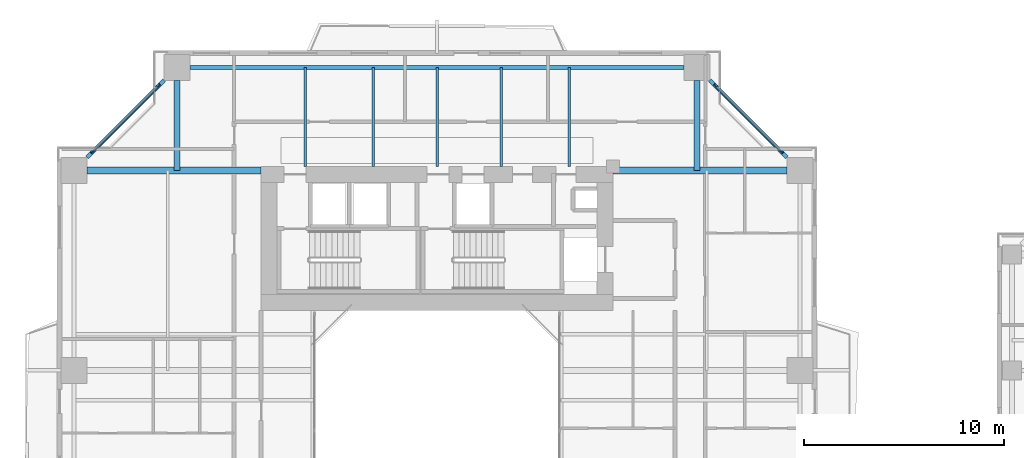
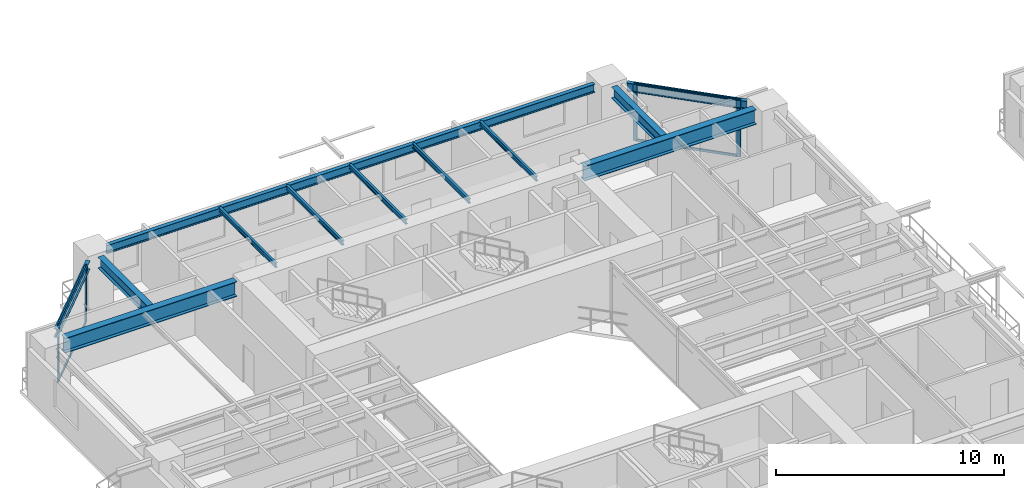
# One storey, part 9 of 24: 12 beams, 8 members, 2 elements without a shape of their own.
"""IFC4 building model written with IfcOpenShell, lengths in metres."""

from ifc_helpers import new_model, si_unit, direction, frame, origin, origin_2d, place, context, subcontext, project, spatial, rectangle, i_section, extrude, source, transform, mapped, material, layer, layer_set, material_profile, profile_set, type_object, element, aggregate, save


model = new_model("IFC4")

# Units and contexts
model_context = context("Model", 3, precision=1e-05, world=origin(), true_north=direction((0.0, 1.0)))
body_context = subcontext(model_context, "Body", "Model", "MODEL_VIEW")
ifc_project = project(units=[si_unit("LENGTHUNIT", "METRE"), si_unit("AREAUNIT", "SQUARE_METRE"), si_unit("VOLUMEUNIT", "CUBIC_METRE"), si_unit("PLANEANGLEUNIT", "RADIAN"), si_unit("MASSUNIT", "GRAM", prefix="KILO"), si_unit("THERMODYNAMICTEMPERATUREUNIT", "KELVIN"), si_unit("POWERUNIT", "WATT")], contexts=[model_context])

# Site, building, storey
site_placement = place(None, origin())
site = spatial("IfcSite", under=ifc_project, at=site_placement, CompositionType="ELEMENT")
building_placement = place(site_placement, origin())
building = spatial("IfcBuilding", under=site, at=building_placement, Name="Qiaomeng Ring Towers", CompositionType="ELEMENT")
storey_placement = place(building_placement, frame((0.0, 0.0, 36.0)))
storey = spatial("IfcBuildingStorey", under=building, at=storey_placement, Name="L09", CompositionType="ELEMENT", Elevation=36.0)

# Beams
ifc_material_1 = material(Name="Steel Q355B", Category="steel")
ifc_material_profile_1 = material_profile(ifc_material_1, i_section(OverallWidth=0.199951171875, OverallDepth=0.449951171875, WebThickness=0.009033203125, FlangeThickness=0.013916015625, FilletRadius=0.01806640625, at=origin_2d()), Name="HN 450x200x9x14")
ifc_profile_set_1 = profile_set([ifc_material_profile_1], Name="Steel Q355B")
beam_type_1 = type_object("IfcBeamType", Name="STR-BM-HN450", PredefinedType="SPANDREL", material=ifc_profile_set_1)
shared_shape_1 = source(origin(), body_context, "Body", "SweptSolid", [
    extrude(i_section(OverallWidth=0.199951171875, OverallDepth=0.449951171875, WebThickness=0.009033203125, FlangeThickness=0.013916015625, FilletRadius=0.01806640625, at=origin_2d()), origin(), (0.0, 0.0, 1.0), 24.7021484375),
])
beam_placement = place(storey_placement, frame((31.35107421875, 41.14990234375, 2.844970703125), z_axis=(-1.0, 0.0, 0.0), x_axis=(0.0, -1.0, 0.0)))
element("IfcBeam", 1, at=beam_placement, inside=storey, type_object=beam_type_1, Name="L09 beam STR-SP-L09-T1-N2-N1", PredefinedType="SPANDREL", context=body_context, shape_type="MappedRepresentation", body=[
    mapped(shared_shape_1, transform((0.0, 0.0, 0.0), x_axis=(1.0, 0.0, 0.0), y_axis=(0.0, 1.0, 0.0), z_axis=(0.0, 0.0, 1.0), scale=1.0)),
])
shared_shape_2 = source(origin(), body_context, "Body", "SweptSolid", [
    extrude(i_section(OverallWidth=0.199951171875, OverallDepth=0.449951171875, WebThickness=0.009033203125, FlangeThickness=0.013916015625, FilletRadius=0.01806640625, at=origin_2d()), origin(), (0.0, 0.0, 1.0), 5.446533203125),
])
for number, where, z_axis, x_axis, name in (
    (2, (36.500732421875, 36.6494140625, 2.844970703125), (-0.707106781187, 0.707106781187, 0.0), (-0.707106781187, -0.707106781187, 0.0), "L09 beam STR-SP-L09-T1-E4-N2"),
    (3, (5.3505859375, 40.500732421875, 2.844970703125), (-0.707106781187, -0.707106781187, 0.0), (0.707106781187, -0.707106781187, 0.0), "L09 beam STR-SP-L09-T1-N1-W4"),
):
    element("IfcBeam", number, at=place(storey_placement, frame(where, z_axis=z_axis, x_axis=x_axis)), inside=storey, type_object=beam_type_1, Name=name, PredefinedType="SPANDREL", context=body_context, shape_type="MappedRepresentation", body=[
        mapped(shared_shape_2, transform((0.0, 0.0, 0.0), x_axis=(1.0, 0.0, 0.0), y_axis=(0.0, 1.0, 0.0), z_axis=(0.0, 0.0, 1.0), scale=1.0)),
    ])
ifc_material_2 = material(Name="Steel Q390GJC", Category="steel")
ifc_material_profile_2 = material_profile(ifc_material_2, i_section(OverallWidth=0.35009765625, OverallDepth=0.800048828125, WebThickness=0.01611328125, FlangeThickness=0.028076171875, at=origin_2d()), Name="WH 800x350x16x28")
ifc_profile_set_2 = profile_set([ifc_material_profile_2], Name="Steel Q390GJC")
beam_type_2 = type_object("IfcBeamType", Name="STR-BM-WH800", PredefinedType="BEAM", material=ifc_profile_set_2)
shared_shape_3 = source(origin(), body_context, "Body", "SweptSolid", [
    extrude(i_section(OverallWidth=0.35009765625, OverallDepth=0.800048828125, WebThickness=0.01611328125, FlangeThickness=0.028076171875, at=origin_2d()), origin(), (0.0, 0.0, 1.0), 8.700927734375),
])
for number, where, z_axis, x_axis, name in (
    (4, (1.4990234375, 36.0, 2.669921875), (1.0, 0.0, 0.0), (0.0, 1.0, 0.0), "L09 beam STR-BM-L09-T1-RAD-W4"),
    (5, (27.800048828125, 36.0, 2.669921875), (1.0, 0.0, 0.0), (0.0, 1.0, 0.0), "L09 beam STR-BM-L09-T1-RAD-E4"),
):
    element("IfcBeam", number, at=place(storey_placement, frame(where, z_axis=z_axis, x_axis=x_axis)), inside=storey, type_object=beam_type_2, Name=name, PredefinedType="BEAM", context=body_context, shape_type="MappedRepresentation", body=[
        mapped(shared_shape_3, transform((0.0, 0.0, 0.0), x_axis=(1.0, 0.0, 0.0), y_axis=(0.0, 1.0, 0.0), z_axis=(0.0, 0.0, 1.0), scale=1.0)),
    ])
ifc_material_profile_3 = material_profile(ifc_material_1, i_section(OverallWidth=0.300048828125, OverallDepth=0.587890625, WebThickness=0.011962890625, FlangeThickness=0.02001953125, FilletRadius=0.028076171875, at=origin_2d()), Name="HM 588x300x12x20")
ifc_profile_set_3 = profile_set([ifc_material_profile_3], Name="Steel Q355B")
beam_type_3 = type_object("IfcBeamType", Name="STR-BM-HM588", PredefinedType="BEAM", material=ifc_profile_set_3)
shared_shape_4 = source(origin(), body_context, "Body", "SweptSolid", [
    extrude(i_section(OverallWidth=0.300048828125, OverallDepth=0.587890625, WebThickness=0.011962890625, FlangeThickness=0.02001953125, FilletRadius=0.028076171875, at=origin_2d()), origin(), (0.0, 0.0, 1.0), 4.5009765625),
])
for number, where, z_axis, x_axis, name in (
    (6, (6.0, 40.5009765625, 2.77587890625), (0.0, -1.0, 0.0), (1.0, 0.0, 0.0), "L09 beam STR-BM-L09-T1-RAD-N1"),
    (7, (32.0, 40.5009765625, 2.77587890625), (0.0, -1.0, 0.0), (1.0, 0.0, 0.0), "L09 beam STR-BM-L09-T1-RAD-N2"),
):
    element("IfcBeam", number, at=place(storey_placement, frame(where, z_axis=z_axis, x_axis=x_axis)), inside=storey, type_object=beam_type_3, Name=name, PredefinedType="BEAM", context=body_context, shape_type="MappedRepresentation", body=[
        mapped(shared_shape_4, transform((0.0, 0.0, 0.0), x_axis=(1.0, 0.0, 0.0), y_axis=(0.0, 1.0, 0.0), z_axis=(0.0, 0.0, 1.0), scale=1.0)),
    ])
ifc_material_profile_4 = material_profile(ifc_material_1, i_section(OverallWidth=0.125, OverallDepth=0.25, WebThickness=0.006103515625, FlangeThickness=0.009033203125, FilletRadius=0.011962890625, at=origin_2d()), Name="HN 250x125x6x9")
ifc_profile_set_4 = profile_set([ifc_material_profile_4], Name="Steel Q355B")
beam_type_4 = type_object("IfcBeamType", Name="STR-BM-HN250", PredefinedType="JOIST", material=ifc_profile_set_4)
shared_shape_5 = source(origin(), body_context, "Body", "SweptSolid", [
    extrude(i_section(OverallWidth=0.125, OverallDepth=0.25, WebThickness=0.006103515625, FlangeThickness=0.009033203125, FilletRadius=0.011962890625, at=origin_2d()), origin(), (0.0, 0.0, 1.0), 4.949951171875),
])
for number, where, z_axis, x_axis, name in (
    (8, (12.39990234375, 36.199951171875, 2.945068359375), (0.0, 1.0, 0.0), (-1.0, 0.0, 0.0), "L09 beam STR-JST-L09-T1N-1"),
    (9, (15.800048828125, 36.199951171875, 2.945068359375), (0.0, 1.0, 0.0), (-1.0, 0.0, 0.0), "L09 beam STR-JST-L09-T1N-2"),
    (10, (19.0, 36.199951171875, 2.945068359375), (0.0, 1.0, 0.0), (-1.0, 0.0, 0.0), "L09 beam STR-JST-L09-T1N-3"),
    (11, (22.199951171875, 36.199951171875, 2.945068359375), (0.0, 1.0, 0.0), (-1.0, 0.0, 0.0), "L09 beam STR-JST-L09-T1N-4"),
    (12, (25.60009765625, 36.199951171875, 2.945068359375), (0.0, 1.0, 0.0), (-1.0, 0.0, 0.0), "L09 beam STR-JST-L09-T1N-5"),
):
    element("IfcBeam", number, at=place(storey_placement, frame(where, z_axis=z_axis, x_axis=x_axis)), inside=storey, type_object=beam_type_4, Name=name, PredefinedType="JOIST", context=body_context, shape_type="MappedRepresentation", body=[
        mapped(shared_shape_5, transform((0.0, 0.0, 0.0), x_axis=(1.0, 0.0, 0.0), y_axis=(0.0, 1.0, 0.0), z_axis=(0.0, 0.0, 1.0), scale=1.0)),
    ])

# Curtain wall, members
ifc_material_3 = material(Name="Fluorocarbon dark-grey aluminium", Category="aluminium")
ifc_layer = layer(ifc_material_3, 0.159912109375, Name="Fluorocarbon dark-grey aluminium")
ifc_layer_set = layer_set([ifc_layer], Name="Fluorocarbon dark-grey aluminium")
curtain_wall_type = type_object("IfcCurtainWallType", Name="ARC-CW-2", PredefinedType="NOTDEFINED", material=ifc_layer_set)
curtain_wall_1_placement = place(storey_placement, origin())
curtain_wall_1 = element("IfcCurtainWall", 13, at=curtain_wall_1_placement, inside=storey, type_object=curtain_wall_type, Name="L09 Curtain Wall CW2", PredefinedType="NOTDEFINED")
ifc_material_profile_5 = material_profile(ifc_material_3, rectangle(XDim=0.070068359375, YDim=0.179931640625, at=origin_2d()), Name="ALU MULL 70x180")
ifc_profile_set_5 = profile_set([ifc_material_profile_5], Name="Fluorocarbon dark-grey aluminium")
member_type_1 = type_object("IfcMemberType", Name="ARC-CWM-160", PredefinedType="MULLION", material=ifc_profile_set_5)
shared_shape_6 = source(origin(), body_context, "Body", "SweptSolid", [
    extrude(rectangle(XDim=0.070068359375, YDim=0.179931640625, at=origin_2d()), origin(), (0.0, 0.0, 1.0), 3.070068359375),
])
member_1_placement = place(storey_placement, frame((36.2353515625, 36.914794921875, 0.0), z_axis=(0.0, 0.0, 1.0), x_axis=(-0.707106781187, -0.707106781187, 0.0)))
member_1 = element("IfcMember", 14, at=member_1_placement, type_object=member_type_1, Name="CW2 mullion 1", PredefinedType="MULLION", context=body_context, shape_type="MappedRepresentation", body=[
    mapped(shared_shape_6, transform((0.0, 0.0, 0.0), x_axis=(1.0, 0.0, 0.0), y_axis=(0.0, 1.0, 0.0), z_axis=(0.0, 0.0, 1.0), scale=1.0)),
])
member_2_placement = place(storey_placement, frame((32.914794921875, 40.2353515625, 0.0), z_axis=(0.0, 0.0, 1.0), x_axis=(-0.707106781187, -0.707106781187, 0.0)))
member_2 = element("IfcMember", 15, at=member_2_placement, type_object=member_type_1, Name="CW2 mullion 2", PredefinedType="MULLION", context=body_context, shape_type="MappedRepresentation", body=[
    mapped(shared_shape_6, transform((0.0, 0.0, 0.0), x_axis=(1.0, 0.0, 0.0), y_axis=(0.0, 1.0, 0.0), z_axis=(0.0, 0.0, 1.0), scale=1.0)),
])

curtain_wall_2_placement = place(storey_placement, origin())
curtain_wall_2 = element("IfcCurtainWall", 16, at=curtain_wall_2_placement, inside=storey, type_object=curtain_wall_type, Name="L09 Curtain Wall CW2", PredefinedType="NOTDEFINED")
member_3_placement = place(storey_placement, frame((5.085205078125, 40.2353515625, 0.0), z_axis=(0.0, 0.0, 1.0), x_axis=(0.707106781187, -0.707106781187, 0.0)))
member_3 = element("IfcMember", 17, at=member_3_placement, type_object=member_type_1, Name="CW2 mullion 1", PredefinedType="MULLION", context=body_context, shape_type="MappedRepresentation", body=[
    mapped(shared_shape_6, transform((0.0, 0.0, 0.0), x_axis=(1.0, 0.0, 0.0), y_axis=(0.0, 1.0, 0.0), z_axis=(0.0, 0.0, 1.0), scale=1.0)),
])
member_4_placement = place(storey_placement, frame((1.7646484375, 36.914794921875, 0.0), z_axis=(0.0, 0.0, 1.0), x_axis=(0.707106781187, -0.707106781187, 0.0)))
member_4 = element("IfcMember", 18, at=member_4_placement, type_object=member_type_1, Name="CW2 mullion 2", PredefinedType="MULLION", context=body_context, shape_type="MappedRepresentation", body=[
    mapped(shared_shape_6, transform((0.0, 0.0, 0.0), x_axis=(1.0, 0.0, 0.0), y_axis=(0.0, 1.0, 0.0), z_axis=(0.0, 0.0, 1.0), scale=1.0)),
])

# Member
ifc_material_profile_6 = material_profile(ifc_material_3, rectangle(XDim=0.06494140625, YDim=0.1298828125, at=origin_2d()), Name="ALU TRAN 65x130")
ifc_profile_set_6 = profile_set([ifc_material_profile_6], Name="Fluorocarbon dark-grey aluminium")
member_type_2 = type_object("IfcMemberType", Name="ARC-CWT-120", PredefinedType="USERDEFINED", material=ifc_profile_set_6)
shared_shape_7 = source(origin(), body_context, "Body", "SweptSolid", [
    extrude(rectangle(XDim=0.06494140625, YDim=0.1298828125, at=origin_2d()), origin(), (0.0, 0.0, 1.0), 4.6259765625),
])
member_5_placement = place(storey_placement, frame((36.21044921875, 36.939453125, 0.032470703125), z_axis=(-0.707106781187, 0.707106781187, 0.0), x_axis=(-0.707106781187, -0.707106781187, 0.0)))
member_5 = element("IfcMember", 19, at=member_5_placement, type_object=member_type_2, Name="CW2 transom 1.1", ObjectType="TRANSOM", PredefinedType="USERDEFINED", context=body_context, shape_type="MappedRepresentation", body=[
    mapped(shared_shape_7, transform((0.0, 0.0, 0.0), x_axis=(1.0, 0.0, 0.0), y_axis=(0.0, 1.0, 0.0), z_axis=(0.0, 0.0, 1.0), scale=1.0)),
])

member_6_placement = place(storey_placement, frame((36.21044921875, 36.939453125, 3.03759765625), z_axis=(-0.707106781187, 0.707106781187, 0.0), x_axis=(-0.707106781187, -0.707106781187, 0.0)))
member_6 = element("IfcMember", 20, at=member_6_placement, type_object=member_type_2, Name="CW2 transom 1.2", ObjectType="TRANSOM", PredefinedType="USERDEFINED", context=body_context, shape_type="MappedRepresentation", body=[
    mapped(shared_shape_7, transform((0.0, 0.0, 0.0), x_axis=(1.0, 0.0, 0.0), y_axis=(0.0, 1.0, 0.0), z_axis=(0.0, 0.0, 1.0), scale=1.0)),
])

aggregate(curtain_wall_1, [member_1, member_2, member_5, member_6])

member_7_placement = place(storey_placement, frame((5.060546875, 40.21044921875, 0.032470703125), z_axis=(-0.707106781187, -0.707106781187, 0.0), x_axis=(0.707106781187, -0.707106781187, 0.0)))
member_7 = element("IfcMember", 21, at=member_7_placement, type_object=member_type_2, Name="CW2 transom 1.1", ObjectType="TRANSOM", PredefinedType="USERDEFINED", context=body_context, shape_type="MappedRepresentation", body=[
    mapped(shared_shape_7, transform((0.0, 0.0, 0.0), x_axis=(1.0, 0.0, 0.0), y_axis=(0.0, 1.0, 0.0), z_axis=(0.0, 0.0, 1.0), scale=1.0)),
])

member_8_placement = place(storey_placement, frame((5.060546875, 40.21044921875, 3.03759765625), z_axis=(-0.707106781187, -0.707106781187, 0.0), x_axis=(0.707106781187, -0.707106781187, 0.0)))
member_8 = element("IfcMember", 22, at=member_8_placement, type_object=member_type_2, Name="CW2 transom 1.2", ObjectType="TRANSOM", PredefinedType="USERDEFINED", context=body_context, shape_type="MappedRepresentation", body=[
    mapped(shared_shape_7, transform((0.0, 0.0, 0.0), x_axis=(1.0, 0.0, 0.0), y_axis=(0.0, 1.0, 0.0), z_axis=(0.0, 0.0, 1.0), scale=1.0)),
])

aggregate(curtain_wall_2, [member_3, member_4, member_7, member_8])

save(model, "model.ifc")
